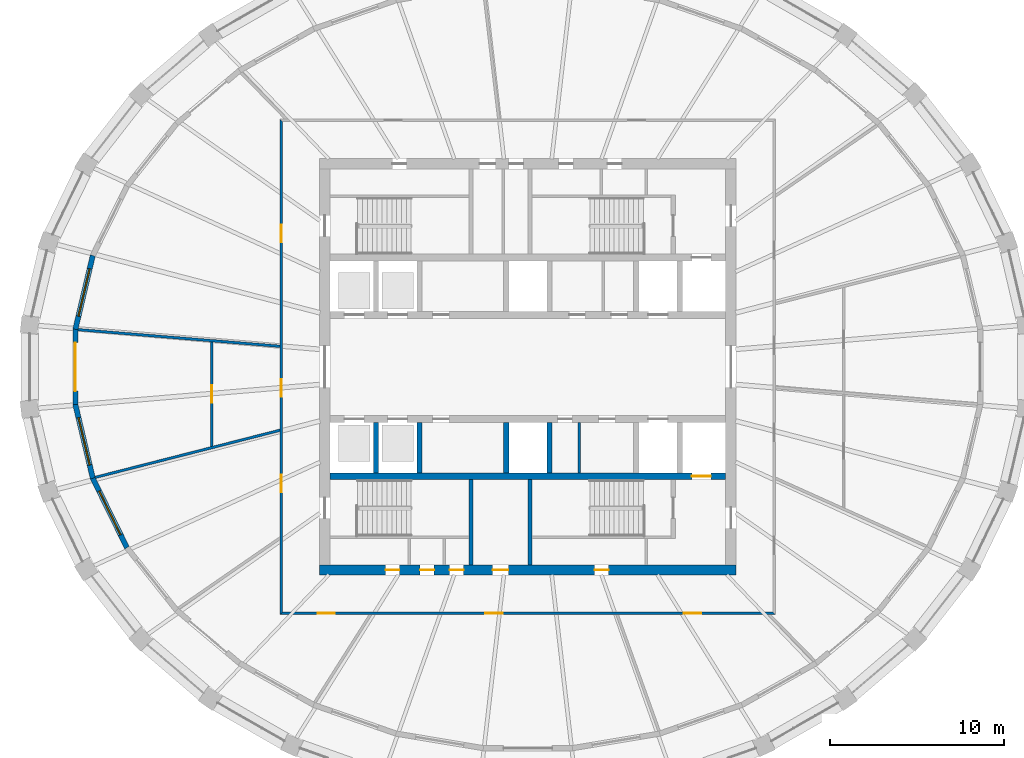
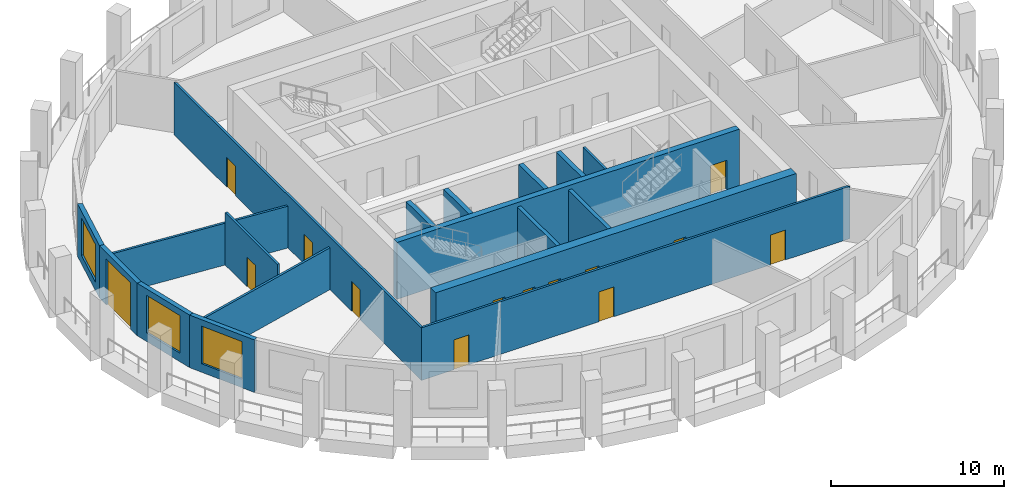
# One storey, part 3 of 10: 18 walls, 14 doors, 3 windows, 17 openings.
"""IFC4 building model written with IfcOpenShell, lengths in metres."""

from ifc_helpers import new_model, si_unit, direction, frame, frame_2d, origin, place, context, subcontext, project, spatial, polyline, rectangle, outline, extrude, material, layer, layer_set, type_object, element, fill, save


model = new_model("IFC4")

# Units and contexts
model_context = context("Model", 3, precision=1e-05, world=origin(), true_north=direction((0.0, 1.0)))
body_context = subcontext(model_context, "Body", "Model", "MODEL_VIEW")
ifc_project = project(units=[si_unit("LENGTHUNIT", "METRE"), si_unit("AREAUNIT", "SQUARE_METRE"), si_unit("VOLUMEUNIT", "CUBIC_METRE"), si_unit("PLANEANGLEUNIT", "RADIAN"), si_unit("MASSUNIT", "GRAM", prefix="KILO")], contexts=[model_context])

# Site, building, storey
site_placement = place(None, origin())
site = spatial("IfcSite", under=ifc_project, at=site_placement, CompositionType="ELEMENT")
building_placement = place(site_placement, origin())
building = spatial("IfcBuilding", under=site, at=building_placement, Name="Halqa Exchange Tower", CompositionType="ELEMENT")
storey_placement = place(building_placement, frame((0.0, 0.0, 304.300048828125)))
storey = spatial("IfcBuildingStorey", under=building, at=storey_placement, Name="L71", CompositionType="ELEMENT", Elevation=304.300048828125)

# Wall, opening, door
ifc_material_1 = material(Name="Gypsum board")
ifc_layer_1 = layer(ifc_material_1, 0.14990234375)
ifc_layer_set_1 = layer_set([ifc_layer_1], Name="Gypsum board")
wall_type_1 = type_object("IfcWallType", Name="Acoustic partition 150", PredefinedType="PARTITIONING", material=ifc_layer_set_1)
wall_1_placement = place(storey_placement, frame((-18.199951171875, -4.592529296875, 0.0), z_axis=(0.0, 0.0, 1.0), x_axis=(0.0, 1.0, 0.0)))
wall_1 = element("IfcWall", 1, at=wall_1_placement, inside=storey, type_object=wall_type_1, Name="L71-PWL-003", PredefinedType="PARTITIONING", context=body_context, shape_type="SweptSolid", body=[
    extrude(outline(polyline([(0.0380859375, -0.074951171875), (2.0322265625, -0.074951171875), (4.0263671875, -0.074951171875), (6.0205078125, -0.074951171875), (6.032470703125, 0.069580078125), (6.032470703125, 0.074951171875), (4.5244140625, 0.074951171875), (3.01611328125, 0.074951171875), (1.508056640625, 0.074951171875), (0.0, 0.074951171875), (0.0, 0.07470703125), (0.0380859375, -0.074951171875)])), origin(), (0.0, 0.0, 1.0), 3.699951171875),
])
opening_1_placement = place(wall_1_placement, frame((2.5224609375, 0.0, 0.0)))
opening_1 = element("IfcOpeningElement", 2, at=opening_1_placement, cuts=wall_1, Name="Opening 22-13", PredefinedType="OPENING", context=body_context, shape_type="SweptSolid", body=[
    extrude(rectangle(XDim=1.0, YDim=2.10009765625, at=frame_2d((0.5, 1.050048828125))), frame((0.0, 0.0869140625, 0.0), z_axis=(0.0, -1.0, 0.0), x_axis=(1.0, 0.0, 0.0)), (0.0, 0.0, 1.0), 0.173828125),
])
ifc_material_2 = material(Name="Timber door leaf", Category="wood")
door_type_1 = type_object("IfcDoorType", Name="Acoustic door 1000 x 2100", OperationType="SINGLE_SWING_LEFT", PredefinedType="DOOR", material=ifc_material_2)
door_1_placement = place(opening_1_placement, frame((1.0, 0.0, 0.0), z_axis=(0.0, 0.0, 1.0), x_axis=(-1.0, 0.0, 0.0)))
door_1 = element("IfcDoor", 3, at=door_1_placement, inside=storey, type_object=door_type_1, Name="L71-IDR-013", OperationType="SINGLE_SWING_LEFT", OverallHeight=2.10009765625, OverallWidth=1.0, PredefinedType="DOOR", context=body_context, shape_type="SweptSolid", body=[
    extrude(rectangle(XDim=1.0, YDim=2.10009765625, at=frame_2d((0.5, 1.050048828125))), frame((0.0, 0.02490234375, 0.0), z_axis=(0.0, -1.0, 0.0), x_axis=(1.0, 0.0, 0.0)), (0.0, 0.0, 1.0), 0.050048828125),
])
fill(opening_1, door_1)

# Walls
ifc_material_3 = material(Name="Fire-rated gypsum board")
ifc_layer_2 = layer(ifc_material_3, 0.14990234375)
ifc_layer_set_2 = layer_set([ifc_layer_2], Name="Fire-rated gypsum board")
wall_type_2 = type_object("IfcWallType", Name="Fire partition EI 60 150", PredefinedType="PARTITIONING", material=ifc_layer_set_2)
wall_2_placement = place(storey_placement, frame((-25.91015625, 2.14453125, 0.0), z_axis=(0.0, 0.0, 1.0), x_axis=(0.996625584757, -0.082081933503, 0.0)))
element("IfcWall", 4, at=wall_2_placement, inside=storey, type_object=wall_type_2, Name="L71-PWL-001", PredefinedType="PARTITIONING", context=body_context, shape_type="SweptSolid", body=[
    extrude(outline(polyline([(11.68017578125, -0.074951171875), (11.68017578125, -0.068359375), (11.66845703125, 0.074951171875), (9.724365234375, 0.074951171875), (7.7802734375, 0.074951171875), (5.836181640625, 0.074951171875), (3.89208984375, 0.074951171875), (1.947998046875, 0.074951171875), (0.00390625, 0.074951171875), (0.0, 0.049072265625), (0.0, -0.074951171875), (1.94677734375, -0.074951171875), (3.893310546875, -0.074951171875), (5.840087890625, -0.074951171875), (7.786865234375, -0.074951171875), (9.7333984375, -0.074951171875), (11.68017578125, -0.074951171875)])), origin(), (0.0, 0.0, 1.0), 2.947021484375),
])
wall_3_placement = place(storey_placement, frame((-24.918701171875, -6.365478515625, 0.0), z_axis=(0.0, 0.0, 1.0), x_axis=(0.968945878768, 0.247272893819, 0.0)))
element("IfcWall", 5, at=wall_3_placement, inside=storey, type_object=wall_type_2, Name="L71-PWL-002", PredefinedType="PARTITIONING", context=body_context, shape_type="SweptSolid", body=[
    extrude(outline(polyline([(0.014892578125, -0.074951171875), (1.83984375, -0.074951171875), (3.6650390625, -0.074951171875), (5.490234375, -0.074951171875), (7.3154296875, -0.074951171875), (9.140625, -0.074951171875), (10.965576171875, -0.074951171875), (11.00390625, 0.07470703125), (11.00390625, 0.074951171875), (9.017333984375, 0.074951171875), (7.030517578125, 0.074951171875), (7.030517578125, 0.074462890625), (7.028076171875, 0.074951171875), (5.27099609375, 0.074951171875), (3.51416015625, 0.074951171875), (1.757080078125, 0.074951171875), (0.0, 0.074951171875), (0.0, -0.004638671875), (0.014892578125, -0.074951171875)])), origin(), (0.0, 0.0, 1.0), 2.947021484375),
])

# Wall, openings, doors
wall_4_placement = place(storey_placement, frame((-14.199951171875, -14.27490234375, 0.0), z_axis=(0.0, 0.0, 1.0), x_axis=(0.0, 1.0, 0.0)))
wall_4 = element("IfcWall", 6, at=wall_4_placement, inside=storey, type_object=wall_type_2, Name="L71-PWL-005", PredefinedType="PARTITIONING", context=body_context, shape_type="SweptSolid", body=[
    extrude(outline(polyline([(0.14990234375, -0.074951171875), (2.033203125, -0.074951171875), (3.91650390625, -0.074951171875), (5.7998046875, -0.074951171875), (7.683349609375, -0.074951171875), (9.566650390625, -0.074951171875), (11.449951171875, -0.074951171875), (13.333251953125, -0.074951171875), (15.216552734375, -0.074951171875), (17.099853515625, -0.074951171875), (18.983154296875, -0.074951171875), (20.866455078125, -0.074951171875), (22.75, -0.074951171875), (24.63330078125, -0.074951171875), (26.5166015625, -0.074951171875), (28.39990234375, -0.074951171875), (28.5498046875, 0.074951171875), (28.5498046875, 0.074951171875), (26.646484375, 0.074951171875), (24.7431640625, 0.074951171875), (22.83984375, 0.074951171875), (20.9365234375, 0.074951171875), (19.033203125, 0.074951171875), (17.1298828125, 0.074951171875), (15.2265625, 0.074951171875), (13.3232421875, 0.074951171875), (11.419921875, 0.074951171875), (9.5166015625, 0.074951171875), (7.61328125, 0.074951171875), (5.7099609375, 0.074951171875), (3.806640625, 0.074951171875), (1.9033203125, 0.074951171875), (0.0, 0.074951171875), (0.14990234375, -0.074951171875)])), origin(), (0.0, 0.0, 1.0), 3.699951171875),
])
opening_2_placement = place(wall_4_placement, frame((21.465087890625, 0.0, 0.0)))
opening_2 = element("IfcOpeningElement", 7, at=opening_2_placement, cuts=wall_4, Name="Opening 22-01", PredefinedType="OPENING", context=body_context, shape_type="SweptSolid", body=[
    extrude(rectangle(XDim=1.0, YDim=2.10009765625, at=frame_2d((0.5, 1.050048828125))), frame((0.0, 0.0869140625, 0.0), z_axis=(0.0, -1.0, 0.0), x_axis=(1.0, 0.0, 0.0)), (0.0, 0.0, 1.0), 0.173828125),
])
opening_3_placement = place(wall_4_placement, frame((12.550048828125, 0.0, 0.0)))
opening_3 = element("IfcOpeningElement", 8, at=opening_3_placement, cuts=wall_4, Name="Opening 22-02", PredefinedType="OPENING", context=body_context, shape_type="SweptSolid", body=[
    extrude(rectangle(XDim=1.0, YDim=2.10009765625, at=frame_2d((0.5, 1.050048828125))), frame((0.0, 0.0869140625, 0.0), z_axis=(0.0, -1.0, 0.0), x_axis=(1.0, 0.0, 0.0)), (0.0, 0.0, 1.0), 0.173828125),
])
opening_4_placement = place(wall_4_placement, frame((7.054931640625, 0.0, 0.0)))
opening_4 = element("IfcOpeningElement", 9, at=opening_4_placement, cuts=wall_4, Name="Opening 22-03", PredefinedType="OPENING", context=body_context, shape_type="SweptSolid", body=[
    extrude(rectangle(XDim=1.0, YDim=2.10009765625, at=frame_2d((0.5, 1.050048828125))), frame((0.0, 0.0869140625, 0.0), z_axis=(0.0, -1.0, 0.0), x_axis=(1.0, 0.0, 0.0)), (0.0, 0.0, 1.0), 0.173828125),
])
ifc_material_4 = material(Name="Steel fire door leaf", Category="steel")
door_type_2 = type_object("IfcDoorType", Name="Fire door FD30S 1000 x 2100", OperationType="SINGLE_SWING_LEFT", PredefinedType="DOOR", material=ifc_material_4)
door_2_placement = place(opening_2_placement, origin())
door_2 = element("IfcDoor", 10, at=door_2_placement, inside=storey, type_object=door_type_2, Name="L71-IDR-001", OperationType="SINGLE_SWING_LEFT", OverallHeight=2.10009765625, OverallWidth=1.0, PredefinedType="DOOR", context=body_context, shape_type="SweptSolid", body=[
    extrude(rectangle(XDim=1.0, YDim=2.10009765625, at=frame_2d((0.5, 1.050048828125))), frame((0.0, 0.02490234375, 0.0), z_axis=(0.0, -1.0, 0.0), x_axis=(1.0, 0.0, 0.0)), (0.0, 0.0, 1.0), 0.050048828125),
])
fill(opening_2, door_2)
door_3_placement = place(opening_3_placement, origin())
door_3 = element("IfcDoor", 11, at=door_3_placement, inside=storey, type_object=door_type_2, Name="L71-IDR-002", OperationType="SINGLE_SWING_LEFT", OverallHeight=2.10009765625, OverallWidth=1.0, PredefinedType="DOOR", context=body_context, shape_type="SweptSolid", body=[
    extrude(rectangle(XDim=1.0, YDim=2.10009765625, at=frame_2d((0.5, 1.050048828125))), frame((0.0, 0.02490234375, 0.0), z_axis=(0.0, -1.0, 0.0), x_axis=(1.0, 0.0, 0.0)), (0.0, 0.0, 1.0), 0.050048828125),
])
fill(opening_3, door_3)
door_4_placement = place(opening_4_placement, origin())
door_4 = element("IfcDoor", 12, at=door_4_placement, inside=storey, type_object=door_type_2, Name="L71-IDR-003", OperationType="SINGLE_SWING_LEFT", OverallHeight=2.10009765625, OverallWidth=1.0, PredefinedType="DOOR", context=body_context, shape_type="SweptSolid", body=[
    extrude(rectangle(XDim=1.0, YDim=2.10009765625, at=frame_2d((0.5, 1.050048828125))), frame((0.0, 0.02490234375, 0.0), z_axis=(0.0, -1.0, 0.0), x_axis=(1.0, 0.0, 0.0)), (0.0, 0.0, 1.0), 0.050048828125),
])
fill(opening_4, door_4)

wall_5_placement = place(storey_placement, frame((-14.27490234375, -14.199951171875, 0.0), z_axis=(0.0, 0.0, 1.0), x_axis=(1.0, 0.0, 0.0)))
wall_5 = element("IfcWall", 13, at=wall_5_placement, inside=storey, type_object=wall_type_2, Name="L71-PWL-006", PredefinedType="PARTITIONING", context=body_context, shape_type="SweptSolid", body=[
    extrude(outline(polyline([(28.5498046875, -0.074951171875), (28.5498046875, -0.074951171875), (28.39990234375, 0.074951171875), (26.5166015625, 0.074951171875), (24.63330078125, 0.074951171875), (22.75, 0.074951171875), (20.866455078125, 0.074951171875), (18.983154296875, 0.074951171875), (17.099853515625, 0.074951171875), (15.216552734375, 0.074951171875), (13.333251953125, 0.074951171875), (11.449951171875, 0.074951171875), (9.566650390625, 0.074951171875), (7.683349609375, 0.074951171875), (5.7998046875, 0.074951171875), (3.91650390625, 0.074951171875), (2.033203125, 0.074951171875), (0.14990234375, 0.074951171875), (0.0, -0.074951171875), (1.9033203125, -0.074951171875), (3.806640625, -0.074951171875), (5.7099609375, -0.074951171875), (7.61328125, -0.074951171875), (9.5166015625, -0.074951171875), (11.419921875, -0.074951171875), (13.3232421875, -0.074951171875), (15.2265625, -0.074951171875), (17.1298828125, -0.074951171875), (19.033203125, -0.074951171875), (20.9365234375, -0.074951171875), (22.83984375, -0.074951171875), (24.7431640625, -0.074951171875), (26.646484375, -0.074951171875), (28.5498046875, -0.074951171875)])), origin(), (0.0, 0.0, 1.0), 3.699951171875),
])
opening_5_placement = place(wall_5_placement, frame((2.1650390625, 0.0, 0.0)))
opening_5 = element("IfcOpeningElement", 14, at=opening_5_placement, cuts=wall_5, Name="Opening 22-04", PredefinedType="OPENING", context=body_context, shape_type="SweptSolid", body=[
    extrude(rectangle(XDim=1.0, YDim=2.10009765625, at=frame_2d((0.5, 1.050048828125))), frame((0.0, 0.0869140625, 0.0), z_axis=(0.0, -1.0, 0.0), x_axis=(1.0, 0.0, 0.0)), (0.0, 0.0, 1.0), 0.173828125),
])
opening_6_placement = place(wall_5_placement, frame((11.824951171875, 0.0, 0.0)))
opening_6 = element("IfcOpeningElement", 15, at=opening_6_placement, cuts=wall_5, Name="Opening 22-05", PredefinedType="OPENING", context=body_context, shape_type="SweptSolid", body=[
    extrude(rectangle(XDim=1.0, YDim=2.10009765625, at=frame_2d((0.5, 1.050048828125))), frame((0.0, 0.0869140625, 0.0), z_axis=(0.0, -1.0, 0.0), x_axis=(1.0, 0.0, 0.0)), (0.0, 0.0, 1.0), 0.173828125),
])
opening_7_placement = place(wall_5_placement, frame((23.2548828125, 0.0, 0.0)))
opening_7 = element("IfcOpeningElement", 16, at=opening_7_placement, cuts=wall_5, Name="Opening 22-06", PredefinedType="OPENING", context=body_context, shape_type="SweptSolid", body=[
    extrude(rectangle(XDim=1.0, YDim=2.10009765625, at=frame_2d((0.5, 1.050048828125))), frame((0.0, 0.0869140625, 0.0), z_axis=(0.0, -1.0, 0.0), x_axis=(1.0, 0.0, 0.0)), (0.0, 0.0, 1.0), 0.173828125),
])
door_5_placement = place(opening_5_placement, frame((1.0, 0.0, 0.0), z_axis=(0.0, 0.0, 1.0), x_axis=(-1.0, 0.0, 0.0)))
door_5 = element("IfcDoor", 17, at=door_5_placement, inside=storey, type_object=door_type_2, Name="L71-IDR-004", OperationType="SINGLE_SWING_RIGHT", OverallHeight=2.10009765625, OverallWidth=1.0, PredefinedType="DOOR", context=body_context, shape_type="SweptSolid", body=[
    extrude(rectangle(XDim=1.0, YDim=2.10009765625, at=frame_2d((0.5, 1.050048828125))), frame((0.0, 0.02490234375, 0.0), z_axis=(0.0, -1.0, 0.0), x_axis=(1.0, 0.0, 0.0)), (0.0, 0.0, 1.0), 0.050048828125),
])
fill(opening_5, door_5)
door_6_placement = place(opening_6_placement, frame((1.0, 0.0, 0.0), z_axis=(0.0, 0.0, 1.0), x_axis=(-1.0, 0.0, 0.0)))
door_6 = element("IfcDoor", 18, at=door_6_placement, inside=storey, type_object=door_type_2, Name="L71-IDR-005", OperationType="SINGLE_SWING_LEFT", OverallHeight=2.10009765625, OverallWidth=1.0, PredefinedType="DOOR", context=body_context, shape_type="SweptSolid", body=[
    extrude(rectangle(XDim=1.0, YDim=2.10009765625, at=frame_2d((0.5, 1.050048828125))), frame((0.0, 0.02490234375, 0.0), z_axis=(0.0, -1.0, 0.0), x_axis=(1.0, 0.0, 0.0)), (0.0, 0.0, 1.0), 0.050048828125),
])
fill(opening_6, door_6)
door_7_placement = place(opening_7_placement, frame((1.0, 0.0, 0.0), z_axis=(0.0, 0.0, 1.0), x_axis=(-1.0, 0.0, 0.0)))
door_7 = element("IfcDoor", 19, at=door_7_placement, inside=storey, type_object=door_type_2, Name="L71-IDR-006", OperationType="SINGLE_SWING_LEFT", OverallHeight=2.10009765625, OverallWidth=1.0, PredefinedType="DOOR", context=body_context, shape_type="SweptSolid", body=[
    extrude(rectangle(XDim=1.0, YDim=2.10009765625, at=frame_2d((0.5, 1.050048828125))), frame((0.0, 0.02490234375, 0.0), z_axis=(0.0, -1.0, 0.0), x_axis=(1.0, 0.0, 0.0)), (0.0, 0.0, 1.0), 0.050048828125),
])
fill(opening_7, door_7)

# Walls
ifc_layer_3 = layer(ifc_material_1, 0.14990234375)
ifc_layer_set_3 = layer_set([ifc_layer_3], Name="Gypsum board")
wall_type_3 = type_object("IfcWallType", Name="Penthouse riser wall 150 gypsum", PredefinedType="PARTITIONING", material=ifc_layer_set_3)
wall_6_placement = place(storey_placement, frame((2.949951171875, -6.10009765625, 0.0), z_axis=(0.0, 0.0, 1.0), x_axis=(0.0, 1.0, 0.0)))
element("IfcWall", 20, at=wall_6_placement, inside=storey, type_object=wall_type_3, Name="Freed bay partition SE2.950", PredefinedType="PARTITIONING", context=body_context, shape_type="SweptSolid", body=[
    extrude(rectangle(XDim=2.900146484375, YDim=0.14990234375, at=frame_2d((1.4501953125, 0.0))), origin(), (0.0, 0.0, 1.0), 3.699951171875),
])
ifc_material_5 = material(Name="Concrete C60/75", Category="concrete")
ifc_layer_4 = layer(ifc_material_5, 0.300048828125)
ifc_layer_set_4 = layer_set([ifc_layer_4], Name="Concrete C60/75")
wall_type_4 = type_object("IfcWallType", Name="RC core wall 300", PredefinedType="SHEAR", material=ifc_layer_set_4)
for number, where, z_axis, x_axis, name in (
    (21, (-8.75, -6.10009765625, 0.0), (0.0, 0.0, 1.0), (0.0, 1.0, 0.0), "Shaft divider S1"),
    (22, (-6.25, -6.10009765625, 0.0), (0.0, 0.0, 1.0), (0.0, 1.0, 0.0), "Shaft divider S2"),
    (23, (-1.25, -6.10009765625, 0.0), (0.0, 0.0, 1.0), (0.0, 1.0, 0.0), "Shaft divider S4"),
    (24, (1.25, -6.10009765625, 0.0), (0.0, 0.0, 1.0), (0.0, 1.0, 0.0), "Shaft divider S5"),
):
    element("IfcWall", number, at=place(storey_placement, frame(where, z_axis=z_axis, x_axis=x_axis)), inside=storey, type_object=wall_type_4, Name=name, PredefinedType="SHEAR", context=body_context, shape_type="SweptSolid", body=[
        extrude(rectangle(XDim=2.900146484375, YDim=0.300048828125, at=frame_2d((1.4501953125, 0.0))), origin(), (0.0, 0.0, 1.0), 4.0),
    ])

# Wall, opening, door
ifc_layer_5 = layer(ifc_material_5, 0.39990234375)
ifc_layer_set_5 = layer_set([ifc_layer_5], Name="Concrete C60/75")
wall_type_5 = type_object("IfcWallType", Name="RC core wall 400 C60/75", PredefinedType="SHEAR", material=ifc_layer_set_5)
wall_7_placement = place(storey_placement, frame((-11.39990234375, -6.300048828125, 0.0), z_axis=(0.0, 0.0, 1.0), x_axis=(1.0, 0.0, 0.0)))
wall_7 = element("IfcWall", 25, at=wall_7_placement, inside=storey, type_object=wall_type_5, Name="Lift row back wall S", PredefinedType="SHEAR", context=body_context, shape_type="SweptSolid", body=[
    extrude(rectangle(XDim=22.7998046875, YDim=0.39990234375, at=frame_2d((11.39990234375, 0.0))), origin(), (0.0, 0.0, 1.0), 4.0),
])
opening_8_placement = place(wall_7_placement, frame((20.85009765625, 0.0, 0.0)))
opening_8 = element("IfcOpeningElement", 26, at=opening_8_placement, cuts=wall_7, Name="Opening LD-FF2-T22", PredefinedType="OPENING", context=body_context, shape_type="SweptSolid", body=[
    extrude(rectangle(XDim=1.10009765625, YDim=2.10009765625, at=frame_2d((0.550048828125, 1.050048828125))), frame((0.0, 0.2119140625, 0.0), z_axis=(0.0, -1.0, 0.0), x_axis=(1.0, 0.0, 0.0)), (0.0, 0.0, 1.0), 0.423828125),
])
ifc_material_6 = material(Name="Stainless steel", Category="steel")
door_type_3 = type_object("IfcDoorType", Name="Lift landing door 1100 x 2100", OperationType="SLIDING_TO_LEFT", PredefinedType="DOOR", material=ifc_material_6)
door_8_placement = place(opening_8_placement, origin())
door_8 = element("IfcDoor", 27, at=door_8_placement, inside=storey, type_object=door_type_3, Name="Lift landing door FF2", OperationType="SLIDING_TO_LEFT", OverallHeight=2.10009765625, OverallWidth=1.10009765625, PredefinedType="DOOR", context=body_context, shape_type="SweptSolid", body=[
    extrude(rectangle(XDim=1.10009765625, YDim=2.10009765625, at=frame_2d((0.550048828125, 1.050048828125))), frame((0.0, 0.02490234375, 0.0), z_axis=(0.0, -1.0, 0.0), x_axis=(1.0, 0.0, 0.0)), (0.0, 0.0, 1.0), 0.050048828125),
])
fill(opening_8, door_8)

# Wall, openings, doors
ifc_layer_6 = layer(ifc_material_5, 0.60009765625)
ifc_layer_set_6 = layer_set([ifc_layer_6], Name="Concrete C60/75")
wall_type_6 = type_object("IfcWallType", Name="RC core wall 600 C60/75", PredefinedType="SHEAR", material=ifc_layer_set_6)
wall_8_placement = place(storey_placement, frame((-12.0, -11.699951171875, 0.0), z_axis=(0.0, 0.0, 1.0), x_axis=(1.0, 0.0, 0.0)))
wall_8 = element("IfcWall", 28, at=wall_8_placement, inside=storey, type_object=wall_type_6, Name="Core wall south", PredefinedType="SHEAR", context=body_context, shape_type="SweptSolid", body=[
    extrude(rectangle(XDim=24.0, YDim=0.60009765625, at=frame_2d((12.0, 0.0))), origin(), (0.0, 0.0, 1.0), 4.0),
])
opening_9_placement = place(wall_8_placement, frame((9.97509765625, 0.0, 0.0)))
opening_9 = element("IfcOpeningElement", 29, at=opening_9_placement, cuts=wall_8, Name="Opening T22-C22", PredefinedType="OPENING", context=body_context, shape_type="SweptSolid", body=[
    extrude(rectangle(XDim=0.89990234375, YDim=2.10009765625, at=frame_2d((0.449951171875, 1.050048828125))), frame((0.0, 0.31201171875, 0.0), z_axis=(0.0, -1.0, 0.0), x_axis=(1.0, 0.0, 0.0)), (0.0, 0.0, 1.0), 0.6240234375),
])
opening_10_placement = place(wall_8_placement, frame((3.800048828125, 0.0, 0.0)))
opening_10 = element("IfcOpeningElement", 30, at=opening_10_placement, cuts=wall_8, Name="Opening T22-C23", PredefinedType="OPENING", context=body_context, shape_type="SweptSolid", body=[
    extrude(rectangle(XDim=0.800048828125, YDim=2.10009765625, at=frame_2d((0.39990234375, 1.050048828125))), frame((0.0, 0.31201171875, 0.0), z_axis=(0.0, -1.0, 0.0), x_axis=(1.0, 0.0, 0.0)), (0.0, 0.0, 1.0), 0.6240234375),
])
opening_11_placement = place(wall_8_placement, frame((5.800048828125, 0.0, 0.0)))
opening_11 = element("IfcOpeningElement", 31, at=opening_11_placement, cuts=wall_8, Name="Opening T22-C24", PredefinedType="OPENING", context=body_context, shape_type="SweptSolid", body=[
    extrude(rectangle(XDim=0.800048828125, YDim=2.10009765625, at=frame_2d((0.39990234375, 1.050048828125))), frame((0.0, 0.31201171875, 0.0), z_axis=(0.0, -1.0, 0.0), x_axis=(1.0, 0.0, 0.0)), (0.0, 0.0, 1.0), 0.6240234375),
])
opening_12_placement = place(wall_8_placement, frame((7.5, 0.0, 0.0)))
opening_12 = element("IfcOpeningElement", 32, at=opening_12_placement, cuts=wall_8, Name="Opening T22-C25", PredefinedType="OPENING", context=body_context, shape_type="SweptSolid", body=[
    extrude(rectangle(XDim=0.800048828125, YDim=2.10009765625, at=frame_2d((0.39990234375, 1.050048828125))), frame((0.0, 0.31201171875, 0.0), z_axis=(0.0, -1.0, 0.0), x_axis=(1.0, 0.0, 0.0)), (0.0, 0.0, 1.0), 0.6240234375),
])
opening_13_placement = place(wall_8_placement, frame((15.85009765625, 0.0, 0.0)))
opening_13 = element("IfcOpeningElement", 33, at=opening_13_placement, cuts=wall_8, Name="Opening T22-C26", PredefinedType="OPENING", context=body_context, shape_type="SweptSolid", body=[
    extrude(rectangle(XDim=0.800048828125, YDim=2.10009765625, at=frame_2d((0.39990234375, 1.050048828125))), frame((0.0, 0.31201171875, 0.0), z_axis=(0.0, -1.0, 0.0), x_axis=(1.0, 0.0, 0.0)), (0.0, 0.0, 1.0), 0.6240234375),
])
ifc_material_7 = material(Name="Timber fire door leaf", Category="wood")
door_type_4 = type_object("IfcDoorType", Name="Core room door FD30 900 x 2100", OperationType="SINGLE_SWING_LEFT", PredefinedType="DOOR", material=ifc_material_7)
door_9_placement = place(opening_9_placement, origin())
door_9 = element("IfcDoor", 34, at=door_9_placement, inside=storey, type_object=door_type_4, Name="Core room door", OperationType="SINGLE_SWING_LEFT", OverallHeight=2.10009765625, OverallWidth=0.89990234375, PredefinedType="DOOR", context=body_context, shape_type="SweptSolid", body=[
    extrude(rectangle(XDim=0.89990234375, YDim=2.10009765625, at=frame_2d((0.449951171875, 1.050048828125))), frame((0.0, 0.02490234375, 0.0), z_axis=(0.0, -1.0, 0.0), x_axis=(1.0, 0.0, 0.0)), (0.0, 0.0, 1.0), 0.050048828125),
])
fill(opening_9, door_9)
door_type_5 = type_object("IfcDoorType", Name="Riser door FD60 800 x 2100", OperationType="SINGLE_SWING_LEFT", PredefinedType="DOOR", material=ifc_material_4)
door_10_placement = place(opening_10_placement, origin())
door_10 = element("IfcDoor", 35, at=door_10_placement, inside=storey, type_object=door_type_5, Name="Core room door", OperationType="SINGLE_SWING_LEFT", OverallHeight=2.10009765625, OverallWidth=0.800048828125, PredefinedType="DOOR", context=body_context, shape_type="SweptSolid", body=[
    extrude(rectangle(XDim=0.800048828125, YDim=2.10009765625, at=frame_2d((0.39990234375, 1.050048828125))), frame((0.0, 0.02490234375, 0.0), z_axis=(0.0, -1.0, 0.0), x_axis=(1.0, 0.0, 0.0)), (0.0, 0.0, 1.0), 0.050048828125),
])
fill(opening_10, door_10)
door_11_placement = place(opening_11_placement, origin())
door_11 = element("IfcDoor", 36, at=door_11_placement, inside=storey, type_object=door_type_5, Name="Core room door", OperationType="SINGLE_SWING_RIGHT", OverallHeight=2.10009765625, OverallWidth=0.800048828125, PredefinedType="DOOR", context=body_context, shape_type="SweptSolid", body=[
    extrude(rectangle(XDim=0.800048828125, YDim=2.10009765625, at=frame_2d((0.39990234375, 1.050048828125))), frame((0.0, 0.02490234375, 0.0), z_axis=(0.0, -1.0, 0.0), x_axis=(1.0, 0.0, 0.0)), (0.0, 0.0, 1.0), 0.050048828125),
])
fill(opening_11, door_11)
door_12_placement = place(opening_12_placement, origin())
door_12 = element("IfcDoor", 37, at=door_12_placement, inside=storey, type_object=door_type_5, Name="Core room door", OperationType="SINGLE_SWING_RIGHT", OverallHeight=2.10009765625, OverallWidth=0.800048828125, PredefinedType="DOOR", context=body_context, shape_type="SweptSolid", body=[
    extrude(rectangle(XDim=0.800048828125, YDim=2.10009765625, at=frame_2d((0.39990234375, 1.050048828125))), frame((0.0, 0.02490234375, 0.0), z_axis=(0.0, -1.0, 0.0), x_axis=(1.0, 0.0, 0.0)), (0.0, 0.0, 1.0), 0.050048828125),
])
fill(opening_12, door_12)
door_13_placement = place(opening_13_placement, origin())
door_13 = element("IfcDoor", 38, at=door_13_placement, inside=storey, type_object=door_type_5, Name="Core room door", OperationType="SINGLE_SWING_LEFT", OverallHeight=2.10009765625, OverallWidth=0.800048828125, PredefinedType="DOOR", context=body_context, shape_type="SweptSolid", body=[
    extrude(rectangle(XDim=0.800048828125, YDim=2.10009765625, at=frame_2d((0.39990234375, 1.050048828125))), frame((0.0, 0.02490234375, 0.0), z_axis=(0.0, -1.0, 0.0), x_axis=(1.0, 0.0, 0.0)), (0.0, 0.0, 1.0), 0.050048828125),
])
fill(opening_13, door_13)

# Walls
ifc_material_8 = material(Name="Concrete C30/37", Category="concrete")
ifc_layer_7 = layer(ifc_material_8, 0.25)
ifc_layer_set_7 = layer_set([ifc_layer_7], Name="Concrete C30/37")
wall_type_7 = type_object("IfcWallType", Name="RC stair wall 250 C30/37", PredefinedType="SHEAR", material=ifc_layer_set_7)
for number, where, z_axis, x_axis, name in (
    (39, (-3.27490234375, -11.39990234375, 0.0), (0.0, 0.0, 1.0), (0.0, 1.0, 0.0), "Stair ST1 east wall S"),
    (40, (0.125, -11.39990234375, 0.0), (0.0, 0.0, 1.0), (0.0, 1.0, 0.0), "Stair ST2 west wall S"),
):
    element("IfcWall", number, at=place(storey_placement, frame(where, z_axis=z_axis, x_axis=x_axis)), inside=storey, type_object=wall_type_7, Name=name, PredefinedType="SHEAR", context=body_context, shape_type="SweptSolid", body=[
        extrude(rectangle(XDim=4.89990234375, YDim=0.25, at=frame_2d((2.449951171875, 0.0))), origin(), (0.0, 0.0, 1.0), 3.699951171875),
    ])

# Wall, opening, window
ifc_material_9 = material(Name="Limestone cladding", Category="masonry")
ifc_layer_8 = layer(ifc_material_9, 0.0400390625)
ifc_material_10 = material(Name="Ventilated cavity")
ifc_layer_9 = layer(ifc_material_10, 0.030029296875, ventilated=True)
ifc_material_11 = material(Name="Mineral wool insulation")
ifc_layer_10 = layer(ifc_material_11, 0.10009765625)
ifc_layer_11 = layer(ifc_material_8, 0.10009765625)
ifc_material_12 = material(Name="Internal plaster")
ifc_layer_12 = layer(ifc_material_12, 0.030029296875)
ifc_layer_set_8 = layer_set([ifc_layer_8, ifc_layer_9, ifc_layer_10, ifc_layer_11, ifc_layer_12], Name="Stone-faced insulated wall 300")
wall_type_8 = type_object("IfcWallType", Name="Stone-faced insulated wall 300", PredefinedType="STANDARD", material=ifc_layer_set_8)
wall_9_placement = place(storey_placement, frame((-25.062744140625, 6.41455078125, 0.0), z_axis=(0.0, 0.0, 1.0), x_axis=(-0.229974411334, -0.973196675977, 0.0)))
wall_9 = element("IfcWall", 41, at=wall_9_placement, inside=storey, type_object=wall_type_8, Name="Glass-line wall 15", PredefinedType="STANDARD", context=body_context, shape_type="SweptSolid", body=[
    extrude(outline(polyline([(-0.016845703125, -0.14990234375), (4.3828125, -0.14990234375), (4.34765625, 0.14990234375), (0.016845703125, 0.14990234375), (-0.016845703125, -0.14990234375)])), origin(), (0.0, 0.0, 1.0), 3.699951171875),
])
opening_14_placement = place(wall_9_placement, frame((0.78271484375, 0.0, 0.60009765625)))
opening_14 = element("IfcOpeningElement", 42, at=opening_14_placement, cuts=wall_9, Name="Opening W-F4-15", PredefinedType="OPENING", context=body_context, shape_type="SweptSolid", body=[
    extrude(rectangle(XDim=2.800048828125, YDim=2.64990234375, at=frame_2d((1.39990234375, 1.324951171875))), frame((0.0, 0.162109375, 0.0), z_axis=(0.0, -1.0, 0.0), x_axis=(1.0, 0.0, 0.0)), (0.0, 0.0, 1.0), 0.323974609375),
])
ifc_material_13 = material(Name="Clear low-emissivity glass in aluminium frame", Category="aluminium")
window_type = type_object("IfcWindowType", Name="Fixed clear glazed window 2800 x 2650", PartitioningType="DOUBLE_PANEL_VERTICAL", PredefinedType="WINDOW", material=ifc_material_13)
window_1_placement = place(opening_14_placement, origin())
window_1 = element("IfcWindow", 43, at=window_1_placement, inside=storey, type_object=window_type, Name="Window 4", OverallHeight=2.64990234375, OverallWidth=2.800048828125, PartitioningType="DOUBLE_PANEL_VERTICAL", PredefinedType="WINDOW", context=body_context, shape_type="SweptSolid", body=[
    extrude(rectangle(XDim=2.800048828125, YDim=2.64990234375, at=frame_2d((1.39990234375, 1.324951171875))), frame((0.0, 0.030029296875, 0.0), z_axis=(0.0, -1.0, 0.0), x_axis=(1.0, 0.0, 0.0)), (0.0, 0.0, 1.0), 0.06005859375),
])
fill(opening_14, window_1)

# Wall, opening, door
wall_10_placement = place(storey_placement, frame((-26.066650390625, 2.166259765625, 0.0), z_axis=(0.0, 0.0, 1.0), x_axis=(0.0, -1.0, 0.0)))
wall_10 = element("IfcWall", 44, at=wall_10_placement, inside=storey, type_object=wall_type_8, Name="Glass-line wall 16", PredefinedType="STANDARD", context=body_context, shape_type="SweptSolid", body=[
    extrude(outline(polyline([(-0.017578125, -0.14990234375), (4.35009765625, -0.14990234375), (4.31494140625, 0.14990234375), (0.017578125, 0.14990234375), (-0.017578125, -0.14990234375)])), origin(), (0.0, 0.0, 1.0), 3.699951171875),
])
opening_15_placement = place(wall_10_placement, frame((0.76611328125, 0.0, 0.0)))
opening_15 = element("IfcOpeningElement", 45, at=opening_15_placement, cuts=wall_10, Name="Opening LG-F4-04", PredefinedType="OPENING", context=body_context, shape_type="SweptSolid", body=[
    extrude(rectangle(XDim=2.800048828125, YDim=3.25, at=frame_2d((1.39990234375, 1.625))), frame((0.0, 0.162109375, 0.0), z_axis=(0.0, -1.0, 0.0), x_axis=(1.0, 0.0, 0.0)), (0.0, 0.0, 1.0), 0.323974609375),
])
door_type_6 = type_object("IfcDoorType", Name="Glazed sliding loggia door 2800 x 3250", OperationType="DOUBLE_DOOR_SLIDING", PredefinedType="DOOR", material=ifc_material_13)
door_14_placement = place(opening_15_placement, origin())
door_14 = element("IfcDoor", 46, at=door_14_placement, inside=storey, type_object=door_type_6, Name="Loggia door 4", OperationType="DOUBLE_DOOR_SLIDING", OverallHeight=3.25, OverallWidth=2.800048828125, PredefinedType="DOOR", context=body_context, shape_type="SweptSolid", body=[
    extrude(rectangle(XDim=2.800048828125, YDim=3.25, at=frame_2d((1.39990234375, 1.625))), frame((0.0, 0.02490234375, 0.0), z_axis=(0.0, -1.0, 0.0), x_axis=(1.0, 0.0, 0.0)), (0.0, 0.0, 1.0), 0.050048828125),
])
fill(opening_15, door_14)

# Wall, opening, window
wall_11_placement = place(storey_placement, frame((-26.066650390625, -2.166259765625, 0.0), z_axis=(0.0, 0.0, 1.0), x_axis=(0.229974411334, -0.973196675977, 0.0)))
wall_11 = element("IfcWall", 47, at=wall_11_placement, inside=storey, type_object=wall_type_8, Name="Glass-line wall 17", PredefinedType="STANDARD", context=body_context, shape_type="SweptSolid", body=[
    extrude(outline(polyline([(-0.017578125, -0.14990234375), (4.382080078125, -0.14990234375), (4.348388671875, 0.14990234375), (0.017578125, 0.14990234375), (-0.017578125, -0.14990234375)])), origin(), (0.0, 0.0, 1.0), 3.699951171875),
])
opening_16_placement = place(wall_11_placement, frame((0.78271484375, 0.0, 0.60009765625)))
opening_16 = element("IfcOpeningElement", 48, at=opening_16_placement, cuts=wall_11, Name="Opening W-F4-17", PredefinedType="OPENING", context=body_context, shape_type="SweptSolid", body=[
    extrude(rectangle(XDim=2.800048828125, YDim=2.64990234375, at=frame_2d((1.39990234375, 1.324951171875))), frame((0.0, 0.162109375, 0.0), z_axis=(0.0, -1.0, 0.0), x_axis=(1.0, 0.0, 0.0)), (0.0, 0.0, 1.0), 0.323974609375),
])
window_2_placement = place(opening_16_placement, origin())
window_2 = element("IfcWindow", 49, at=window_2_placement, inside=storey, type_object=window_type, Name="Window 4", OverallHeight=2.64990234375, OverallWidth=2.800048828125, PartitioningType="DOUBLE_PANEL_VERTICAL", PredefinedType="WINDOW", context=body_context, shape_type="SweptSolid", body=[
    extrude(rectangle(XDim=2.800048828125, YDim=2.64990234375, at=frame_2d((1.39990234375, 1.324951171875))), frame((0.0, 0.030029296875, 0.0), z_axis=(0.0, -1.0, 0.0), x_axis=(1.0, 0.0, 0.0)), (0.0, 0.0, 1.0), 0.06005859375),
])
fill(opening_16, window_2)

wall_12_placement = place(storey_placement, frame((-25.062744140625, -6.41455078125, 0.0), z_axis=(0.0, 0.0, 1.0), x_axis=(0.441509050872, -0.897256796017, 0.0)))
wall_12 = element("IfcWall", 50, at=wall_12_placement, inside=storey, type_object=wall_type_8, Name="Glass-line wall 18", PredefinedType="STANDARD", context=body_context, shape_type="SweptSolid", body=[
    extrude(outline(polyline([(-0.016845703125, -0.14990234375), (4.47412109375, -0.14990234375), (4.44189453125, 0.14990234375), (0.016845703125, 0.14990234375), (-0.016845703125, -0.14990234375)])), origin(), (0.0, 0.0, 1.0), 3.699951171875),
])
opening_17_placement = place(wall_12_placement, frame((0.8291015625, 0.0, 0.60009765625)))
opening_17 = element("IfcOpeningElement", 51, at=opening_17_placement, cuts=wall_12, Name="Opening W-F4-18", PredefinedType="OPENING", context=body_context, shape_type="SweptSolid", body=[
    extrude(rectangle(XDim=2.800048828125, YDim=2.64990234375, at=frame_2d((1.39990234375, 1.324951171875))), frame((0.0, 0.162109375, 0.0), z_axis=(0.0, -1.0, 0.0), x_axis=(1.0, 0.0, 0.0)), (0.0, 0.0, 1.0), 0.323974609375),
])
window_3_placement = place(opening_17_placement, origin())
window_3 = element("IfcWindow", 52, at=window_3_placement, inside=storey, type_object=window_type, Name="Window 4", OverallHeight=2.64990234375, OverallWidth=2.800048828125, PartitioningType="DOUBLE_PANEL_VERTICAL", PredefinedType="WINDOW", context=body_context, shape_type="SweptSolid", body=[
    extrude(rectangle(XDim=2.800048828125, YDim=2.64990234375, at=frame_2d((1.39990234375, 1.324951171875))), frame((0.0, 0.030029296875, 0.0), z_axis=(0.0, -1.0, 0.0), x_axis=(1.0, 0.0, 0.0)), (0.0, 0.0, 1.0), 0.06005859375),
])
fill(opening_17, window_3)

save(model, "model.ifc")
